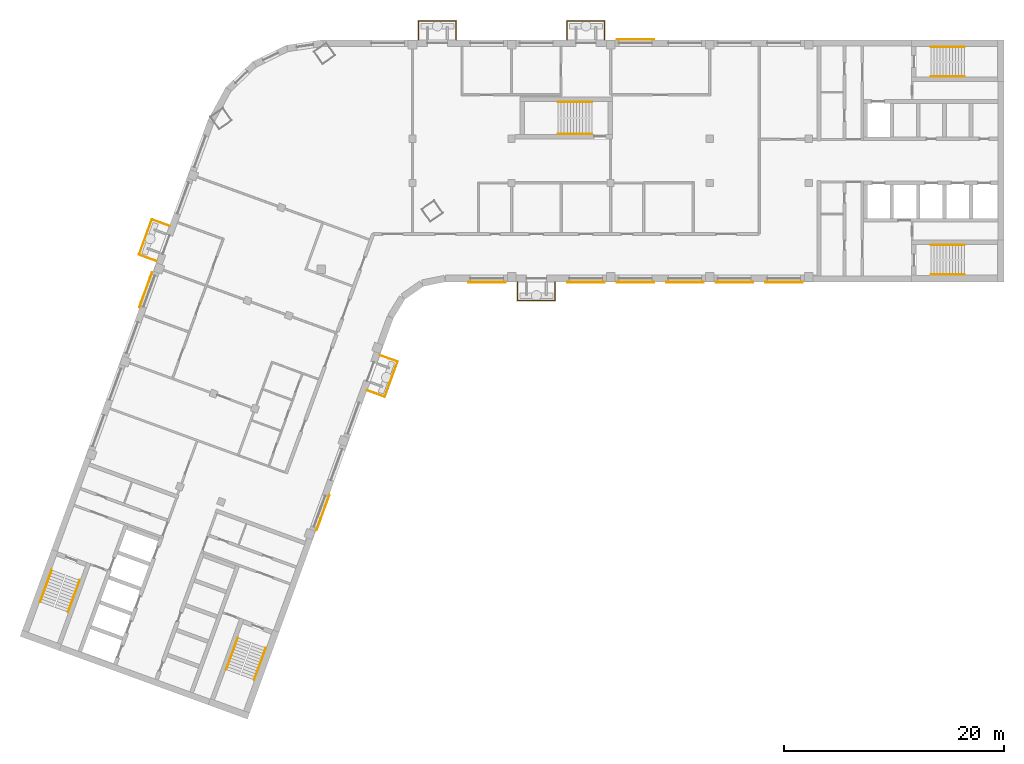
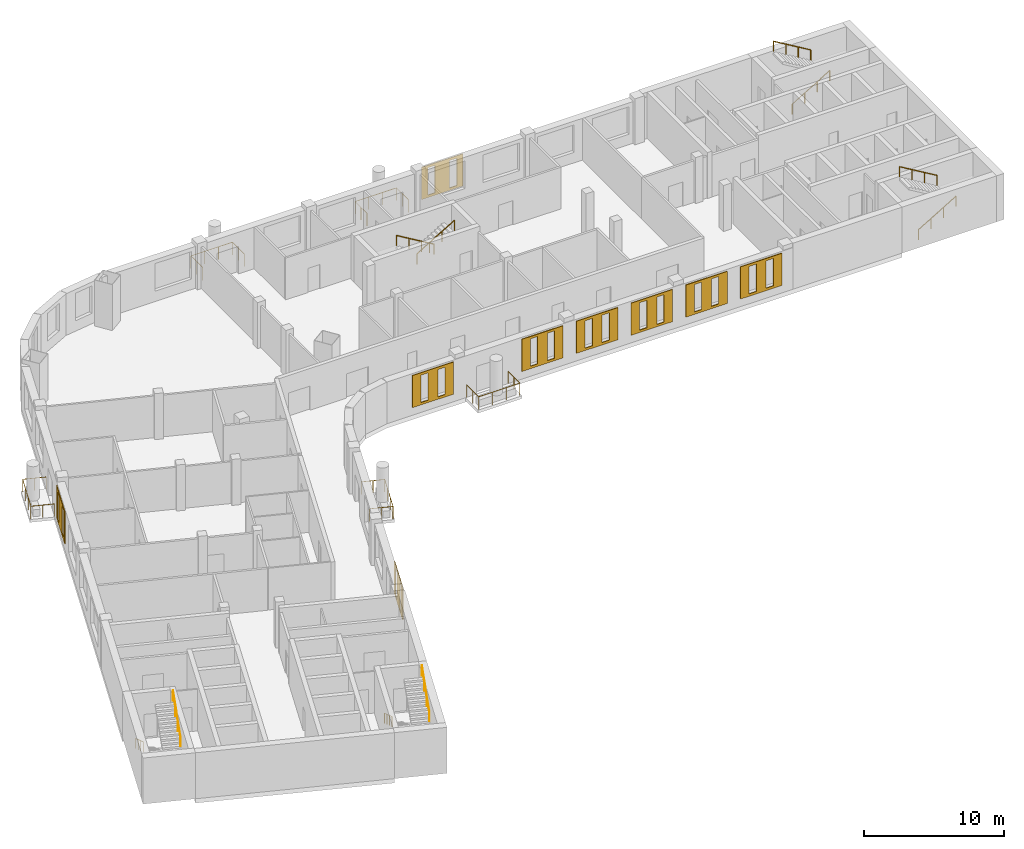
# One storey, part 8 of 10: 15 railings, 9 coverings.
"""IFC4 building model written with IfcOpenShell, lengths in metres."""

from ifc_helpers import new_model, si_unit, direction, frame, origin, origin_2d, place, context, subcontext, project, spatial, polyline, circle, outline, extrude, material, material_profile, profile_set, type_object, element, save


model = new_model("IFC4")

# Units and contexts
model_context = context("Model", 3, precision=1e-05, world=origin(), true_north=direction((0.0, 1.0)))
body_context = subcontext(model_context, "Body", "Model", "MODEL_VIEW")
ifc_project = project(units=[si_unit("LENGTHUNIT", "METRE"), si_unit("AREAUNIT", "SQUARE_METRE"), si_unit("VOLUMEUNIT", "CUBIC_METRE"), si_unit("PLANEANGLEUNIT", "RADIAN"), si_unit("MASSUNIT", "GRAM", prefix="KILO")], contexts=[model_context])

# Site, building, storey
site_placement = place(None, origin())
site = spatial("IfcSite", under=ifc_project, at=site_placement, CompositionType="ELEMENT")
building_placement = place(site_placement, origin())
building = spatial("IfcBuilding", under=site, at=building_placement, Name="Skarvind Civic Tower", CompositionType="ELEMENT")
storey_placement = place(building_placement, frame((0.0, 0.0, 154.5)))
storey = spatial("IfcBuildingStorey", under=building, at=storey_placement, Name="L36", CompositionType="ELEMENT", Elevation=154.5)

# Railings
ifc_material_1 = material(Name="Stainless steel balustrade", Category="steel")
railing_type_1 = type_object("IfcRailingType", Name="GR1 GUARD 1100", PredefinedType="GUARDRAIL", material=ifc_material_1)
railing_1_placement = place(storey_placement, frame((51.274658203125, 110.330322265625, 0.0)))
element("IfcRailing", 1, at=railing_1_placement, inside=storey, type_object=railing_type_1, Name="TREE BALCONY GUARD", PredefinedType="GUARDRAIL", context=body_context, shape_type="SweptSolid", body=[
    extrude(circle(Radius=0.02392578125, at=origin_2d()), frame((0.0, 0.0, 1.076171875), z_axis=(0.939684369409, -0.342042812948, 0.0), x_axis=(0.342042812948, 0.939684369409, 0.0)), (0.0, 0.0, 1.0), 1.7001953125),
    extrude(circle(Radius=0.02392578125, at=origin_2d()), frame((1.59765625, -0.58154296875, 1.076171875), z_axis=(-0.342088971896, -0.93966756638, 0.0), x_axis=(0.93966756638, -0.342088971896, 0.0)), (0.0, 0.0, 1.0), 3.39990234375),
    extrude(circle(Radius=0.02392578125, at=origin_2d()), frame((0.4345703125, -3.7763671875, 1.076171875), z_axis=(-0.93966756638, 0.342088971896, 0.0), x_axis=(-0.342088971896, -0.93966756638, 0.0)), (0.0, 0.0, 1.0), 1.699951171875),
    extrude(circle(Radius=0.02099609375, at=origin_2d()), origin(), (0.0, 0.0, 1.0), 1.052001953125),
    extrude(circle(Radius=0.02099609375, at=origin_2d()), frame((0.798828125, -0.290771484375, 0.0)), (0.0, 0.0, 1.0), 1.052001953125),
    extrude(circle(Radius=0.02099609375, at=origin_2d()), frame((1.59765625, -0.58154296875, 0.0)), (0.0, 0.0, 1.0), 1.052001953125),
    extrude(circle(Radius=0.02099609375, at=origin_2d()), frame((1.2099609375, -1.646484375, 0.0)), (0.0, 0.0, 1.0), 1.052001953125),
    extrude(circle(Radius=0.02099609375, at=origin_2d()), frame((0.822265625, -2.71142578125, 0.0)), (0.0, 0.0, 1.0), 1.052001953125),
    extrude(circle(Radius=0.02099609375, at=origin_2d()), frame((0.4345703125, -3.7763671875, 0.0)), (0.0, 0.0, 1.0), 1.052001953125),
    extrude(circle(Radius=0.02099609375, at=origin_2d()), frame((-0.3642578125, -3.485595703125, 0.0)), (0.0, 0.0, 1.0), 1.052001953125),
    extrude(circle(Radius=0.02099609375, at=origin_2d()), frame((-1.162841796875, -3.19482421875, 0.0)), (0.0, 0.0, 1.0), 1.052001953125),
])
railing_2_placement = place(storey_placement, frame((67.199951171875, 117.0, 0.0)))
element("IfcRailing", 2, at=railing_2_placement, inside=storey, type_object=railing_type_1, Name="TREE BALCONY GUARD", PredefinedType="GUARDRAIL", context=body_context, shape_type="SweptSolid", body=[
    extrude(circle(Radius=0.02392578125, at=origin_2d()), frame((0.0, 0.0, 1.076171875), z_axis=(0.0, -1.0, 0.0), x_axis=(1.0, 0.0, 0.0)), (0.0, 0.0, 1.0), 1.699951171875),
    extrude(circle(Radius=0.02392578125, at=origin_2d()), frame((0.0, -1.699951171875, 1.076171875), z_axis=(-1.0, 0.0, 0.0), x_axis=(0.0, -1.0, 0.0)), (0.0, 0.0, 1.0), 3.39990234375),
    extrude(circle(Radius=0.02392578125, at=origin_2d()), frame((-3.39990234375, -1.699951171875, 1.076171875), z_axis=(0.0, 1.0, 0.0), x_axis=(-1.0, 0.0, 0.0)), (0.0, 0.0, 1.0), 1.699951171875),
    extrude(circle(Radius=0.02099609375, at=origin_2d()), origin(), (0.0, 0.0, 1.0), 1.052001953125),
    extrude(circle(Radius=0.02099609375, at=origin_2d()), frame((0.0, -0.85009765625, 0.0)), (0.0, 0.0, 1.0), 1.052001953125),
    extrude(circle(Radius=0.02099609375, at=origin_2d()), frame((0.0, -1.699951171875, 0.0)), (0.0, 0.0, 1.0), 1.052001953125),
    extrude(circle(Radius=0.02099609375, at=origin_2d()), frame((-1.13330078125, -1.699951171875, 0.0)), (0.0, 0.0, 1.0), 1.052001953125),
    extrude(circle(Radius=0.02099609375, at=origin_2d()), frame((-2.2666015625, -1.699951171875, 0.0)), (0.0, 0.0, 1.0), 1.052001953125),
    extrude(circle(Radius=0.02099609375, at=origin_2d()), frame((-3.39990234375, -1.699951171875, 0.0)), (0.0, 0.0, 1.0), 1.052001953125),
    extrude(circle(Radius=0.02099609375, at=origin_2d()), frame((-3.39990234375, -0.85009765625, 0.0)), (0.0, 0.0, 1.0), 1.052001953125),
    extrude(circle(Radius=0.02099609375, at=origin_2d()), frame((-3.39990234375, 0.0, 0.0)), (0.0, 0.0, 1.0), 1.052001953125),
])
for number, where, name in (
    (3, (54.800048828125, 139.0, 0.0), "TREE BALCONY GUARD"),
    (4, (68.300048828125, 139.0, 0.0), "TREE BALCONY GUARD"),
):
    element("IfcRailing", number, at=place(storey_placement, frame(where)), inside=storey, type_object=railing_type_1, Name=name, PredefinedType="GUARDRAIL", context=body_context, shape_type="SweptSolid", body=[
        extrude(circle(Radius=0.02392578125, at=origin_2d()), frame((0.0, 0.0, 1.076171875), z_axis=(0.0, 1.0, 0.0), x_axis=(-1.0, 0.0, 0.0)), (0.0, 0.0, 1.0), 1.699951171875),
        extrude(circle(Radius=0.02392578125, at=origin_2d()), frame((0.0, 1.699951171875, 1.076171875), z_axis=(1.0, 0.0, 0.0), x_axis=(0.0, 1.0, 0.0)), (0.0, 0.0, 1.0), 3.39990234375),
        extrude(circle(Radius=0.02392578125, at=origin_2d()), frame((3.39990234375, 1.699951171875, 1.076171875), z_axis=(0.0, -1.0, 0.0), x_axis=(1.0, 0.0, 0.0)), (0.0, 0.0, 1.0), 1.699951171875),
        extrude(circle(Radius=0.02099609375, at=origin_2d()), origin(), (0.0, 0.0, 1.0), 1.052001953125),
        extrude(circle(Radius=0.02099609375, at=origin_2d()), frame((0.0, 0.85009765625, 0.0)), (0.0, 0.0, 1.0), 1.052001953125),
        extrude(circle(Radius=0.02099609375, at=origin_2d()), frame((0.0, 1.699951171875, 0.0)), (0.0, 0.0, 1.0), 1.052001953125),
        extrude(circle(Radius=0.02099609375, at=origin_2d()), frame((1.13330078125, 1.699951171875, 0.0)), (0.0, 0.0, 1.0), 1.052001953125),
        extrude(circle(Radius=0.02099609375, at=origin_2d()), frame((2.2666015625, 1.699951171875, 0.0)), (0.0, 0.0, 1.0), 1.052001953125),
        extrude(circle(Radius=0.02099609375, at=origin_2d()), frame((3.39990234375, 1.699951171875, 0.0)), (0.0, 0.0, 1.0), 1.052001953125),
        extrude(circle(Radius=0.02099609375, at=origin_2d()), frame((3.39990234375, 0.85009765625, 0.0)), (0.0, 0.0, 1.0), 1.052001953125),
        extrude(circle(Radius=0.02099609375, at=origin_2d()), frame((3.39990234375, 0.0, 0.0)), (0.0, 0.0, 1.0), 1.052001953125),
    ])
railing_3_placement = place(storey_placement, frame((30.977783203125, 118.888427734375, 0.0)))
element("IfcRailing", 5, at=railing_3_placement, inside=storey, type_object=railing_type_1, Name="TREE BALCONY GUARD", PredefinedType="GUARDRAIL", context=body_context, shape_type="SweptSolid", body=[
    extrude(circle(Radius=0.02392578125, at=origin_2d()), frame((0.0, 0.0, 1.076171875), z_axis=(-0.939684369409, 0.342042812948, 0.0), x_axis=(-0.342042812948, -0.939684369409, 0.0)), (0.0, 0.0, 1.0), 1.7001953125),
    extrude(circle(Radius=0.02392578125, at=origin_2d()), frame((-1.59765625, 0.58154296875, 1.076171875), z_axis=(0.342088971896, 0.93966756638, 0.0), x_axis=(-0.93966756638, 0.342088971896, 0.0)), (0.0, 0.0, 1.0), 3.39990234375),
    extrude(circle(Radius=0.02392578125, at=origin_2d()), frame((-0.4345703125, 3.7763671875, 1.076171875), z_axis=(0.939713724856, -0.341962154804, 0.0), x_axis=(0.341962154804, 0.939713724856, 0.0)), (0.0, 0.0, 1.0), 1.699951171875),
    extrude(circle(Radius=0.02099609375, at=origin_2d()), origin(), (0.0, 0.0, 1.0), 1.052001953125),
    extrude(circle(Radius=0.02099609375, at=origin_2d()), frame((-0.798828125, 0.290771484375, 0.0)), (0.0, 0.0, 1.0), 1.052001953125),
    extrude(circle(Radius=0.02099609375, at=origin_2d()), frame((-1.59765625, 0.58154296875, 0.0)), (0.0, 0.0, 1.0), 1.052001953125),
    extrude(circle(Radius=0.02099609375, at=origin_2d()), frame((-1.2099609375, 1.646484375, 0.0)), (0.0, 0.0, 1.0), 1.052001953125),
    extrude(circle(Radius=0.02099609375, at=origin_2d()), frame((-0.822265625, 2.71142578125, 0.0)), (0.0, 0.0, 1.0), 1.052001953125),
    extrude(circle(Radius=0.02099609375, at=origin_2d()), frame((-0.4345703125, 3.7763671875, 0.0)), (0.0, 0.0, 1.0), 1.052001953125),
    extrude(circle(Radius=0.02099609375, at=origin_2d()), frame((0.3642578125, 3.48583984375, 0.0)), (0.0, 0.0, 1.0), 1.052001953125),
    extrude(circle(Radius=0.02099609375, at=origin_2d()), frame((1.162841796875, 3.195068359375, 0.0)), (0.0, 0.0, 1.0), 1.052001953125),
])
ifc_material_2 = material(Name="Painted steel handrail", Category="steel")
railing_type_2 = type_object("IfcRailingType", Name="Stair handrail 900", PredefinedType="HANDRAIL", material=ifc_material_2)
railing_4_placement = place(storey_placement, frame((101.35009765625, 135.64990234375, 0.166748046875)))
element("IfcRailing", 6, at=railing_4_placement, inside=storey, type_object=railing_type_2, Name="Stair handrail", PredefinedType="HANDRAIL", context=body_context, shape_type="SweptSolid", body=[
    extrude(circle(Radius=0.02392578125, at=origin_2d()), frame((0.0, 0.0, 0.8759765625), z_axis=(0.859290745958, 0.0, 0.51148745235), x_axis=(0.0, 1.0, 0.0)), (0.0, 0.0, 1.0), 3.584228515625),
    extrude(circle(Radius=0.02099609375, at=origin_2d()), origin(), (0.0, 0.0, 1.0), 0.851806640625),
    extrude(circle(Radius=0.02099609375, at=origin_2d()), frame((1.026611328125, 0.0, 0.611083984375)), (0.0, 0.0, 1.0), 0.851806640625),
    extrude(circle(Radius=0.02099609375, at=origin_2d()), frame((2.05322265625, 0.0, 1.22216796875)), (0.0, 0.0, 1.0), 0.851806640625),
    extrude(circle(Radius=0.02099609375, at=origin_2d()), frame((3.079833984375, 0.0, 1.833251953125)), (0.0, 0.0, 1.0), 0.851806640625),
])
railing_5_placement = place(storey_placement, frame((104.429931640625, 138.35009765625, 2.166748046875)))
element("IfcRailing", 7, at=railing_5_placement, inside=storey, type_object=railing_type_2, Name="Stair handrail", PredefinedType="HANDRAIL", context=body_context, shape_type="SweptSolid", body=[
    extrude(circle(Radius=0.02392578125, at=origin_2d()), frame((0.0, 0.0, 0.8759765625), z_axis=(-0.859290745958, 0.0, 0.51148745235), x_axis=(0.0, -1.0, 0.0)), (0.0, 0.0, 1.0), 3.584228515625),
    extrude(circle(Radius=0.02099609375, at=origin_2d()), origin(), (0.0, 0.0, 1.0), 0.851806640625),
    extrude(circle(Radius=0.02099609375, at=origin_2d()), frame((-1.026611328125, 0.0, 0.611083984375)), (0.0, 0.0, 1.0), 0.851806640625),
    extrude(circle(Radius=0.02099609375, at=origin_2d()), frame((-2.05322265625, 0.0, 1.22216796875)), (0.0, 0.0, 1.0), 0.851806640625),
    extrude(circle(Radius=0.02099609375, at=origin_2d()), frame((-3.079833984375, 0.0, 1.833251953125)), (0.0, 0.0, 1.0), 0.851806640625),
])
railing_6_placement = place(storey_placement, frame((101.35009765625, 117.64990234375, 0.166748046875)))
element("IfcRailing", 8, at=railing_6_placement, inside=storey, type_object=railing_type_2, Name="Stair handrail", PredefinedType="HANDRAIL", context=body_context, shape_type="SweptSolid", body=[
    extrude(circle(Radius=0.02392578125, at=origin_2d()), frame((0.0, 0.0, 0.8759765625), z_axis=(0.859290745958, 0.0, 0.51148745235), x_axis=(0.0, 1.0, 0.0)), (0.0, 0.0, 1.0), 3.584228515625),
    extrude(circle(Radius=0.02099609375, at=origin_2d()), origin(), (0.0, 0.0, 1.0), 0.851806640625),
    extrude(circle(Radius=0.02099609375, at=origin_2d()), frame((1.026611328125, 0.0, 0.611083984375)), (0.0, 0.0, 1.0), 0.851806640625),
    extrude(circle(Radius=0.02099609375, at=origin_2d()), frame((2.05322265625, 0.0, 1.22216796875)), (0.0, 0.0, 1.0), 0.851806640625),
    extrude(circle(Radius=0.02099609375, at=origin_2d()), frame((3.079833984375, 0.0, 1.833251953125)), (0.0, 0.0, 1.0), 0.851806640625),
])
railing_7_placement = place(storey_placement, frame((104.429931640625, 120.35009765625, 2.166748046875)))
element("IfcRailing", 9, at=railing_7_placement, inside=storey, type_object=railing_type_2, Name="Stair handrail", PredefinedType="HANDRAIL", context=body_context, shape_type="SweptSolid", body=[
    extrude(circle(Radius=0.02392578125, at=origin_2d()), frame((0.0, 0.0, 0.8759765625), z_axis=(-0.859290745958, 0.0, 0.51148745235), x_axis=(0.0, -1.0, 0.0)), (0.0, 0.0, 1.0), 3.584228515625),
    extrude(circle(Radius=0.02099609375, at=origin_2d()), origin(), (0.0, 0.0, 1.0), 0.851806640625),
    extrude(circle(Radius=0.02099609375, at=origin_2d()), frame((-1.026611328125, 0.0, 0.611083984375)), (0.0, 0.0, 1.0), 0.851806640625),
    extrude(circle(Radius=0.02099609375, at=origin_2d()), frame((-2.05322265625, 0.0, 1.22216796875)), (0.0, 0.0, 1.0), 0.851806640625),
    extrude(circle(Radius=0.02099609375, at=origin_2d()), frame((-3.079833984375, 0.0, 1.833251953125)), (0.0, 0.0, 1.0), 0.851806640625),
])
railing_8_placement = place(storey_placement, frame((38.362060546875, 84.64794921875, 0.166748046875)))
element("IfcRailing", 10, at=railing_8_placement, inside=storey, type_object=railing_type_2, Name="Stair handrail", PredefinedType="HANDRAIL", context=body_context, shape_type="SweptSolid", body=[
    extrude(circle(Radius=0.02392578125, at=origin_2d()), frame((0.0, 0.0, 0.8759765625), z_axis=(-0.293908055923, -0.807480881337, 0.511461319103), x_axis=(0.939689235759, -0.342029443467, 0.0)), (0.0, 0.0, 1.0), 3.584228515625),
    extrude(circle(Radius=0.02099609375, at=origin_2d()), origin(), (0.0, 0.0, 1.0), 0.851806640625),
    extrude(circle(Radius=0.02099609375, at=origin_2d()), frame((-0.35107421875, -0.96484375, 0.611083984375)), (0.0, 0.0, 1.0), 0.851806640625),
    extrude(circle(Radius=0.02099609375, at=origin_2d()), frame((-0.702392578125, -1.929443359375, 1.22216796875)), (0.0, 0.0, 1.0), 0.851806640625),
    extrude(circle(Radius=0.02099609375, at=origin_2d()), frame((-1.053466796875, -2.894287109375, 1.833251953125)), (0.0, 0.0, 1.0), 0.851806640625),
])
railing_9_placement = place(storey_placement, frame((39.845703125, 80.830078125, 2.166748046875)))
element("IfcRailing", 11, at=railing_9_placement, inside=storey, type_object=railing_type_2, Name="Stair handrail", PredefinedType="HANDRAIL", context=body_context, shape_type="SweptSolid", body=[
    extrude(circle(Radius=0.02392578125, at=origin_2d()), frame((0.0, 0.0, 0.8759765625), z_axis=(0.293908055923, 0.807480881337, 0.511461319103), x_axis=(-0.939689235759, 0.342029443467, 0.0)), (0.0, 0.0, 1.0), 3.584228515625),
    extrude(circle(Radius=0.02099609375, at=origin_2d()), origin(), (0.0, 0.0, 1.0), 0.851806640625),
    extrude(circle(Radius=0.02099609375, at=origin_2d()), frame((0.35107421875, 0.96484375, 0.611083984375)), (0.0, 0.0, 1.0), 0.851806640625),
    extrude(circle(Radius=0.02099609375, at=origin_2d()), frame((0.702392578125, 1.929443359375, 1.22216796875)), (0.0, 0.0, 1.0), 0.851806640625),
    extrude(circle(Radius=0.02099609375, at=origin_2d()), frame((1.053466796875, 2.894287109375, 1.833251953125)), (0.0, 0.0, 1.0), 0.851806640625),
])
railing_10_placement = place(storey_placement, frame((21.447509765625, 90.80419921875, 0.166748046875)))
element("IfcRailing", 12, at=railing_10_placement, inside=storey, type_object=railing_type_2, Name="Stair handrail", PredefinedType="HANDRAIL", context=body_context, shape_type="SweptSolid", body=[
    extrude(circle(Radius=0.02392578125, at=origin_2d()), frame((0.0, 0.0, 0.8759765625), z_axis=(-0.293845824691, -0.807497044902, 0.511471557163), x_axis=(0.939714709796, -0.34195944817, 0.0)), (0.0, 0.0, 1.0), 3.584228515625),
    extrude(circle(Radius=0.02099609375, at=origin_2d()), origin(), (0.0, 0.0, 1.0), 0.851806640625),
    extrude(circle(Radius=0.02099609375, at=origin_2d()), frame((-0.35107421875, -0.96484375, 0.611083984375)), (0.0, 0.0, 1.0), 0.851806640625),
    extrude(circle(Radius=0.02099609375, at=origin_2d()), frame((-0.7021484375, -1.929443359375, 1.22216796875)), (0.0, 0.0, 1.0), 0.851806640625),
    extrude(circle(Radius=0.02099609375, at=origin_2d()), frame((-1.05322265625, -2.894287109375, 1.833251953125)), (0.0, 0.0, 1.0), 0.851806640625),
])
railing_11_placement = place(storey_placement, frame((22.931396484375, 86.986572265625, 2.166748046875)))
element("IfcRailing", 13, at=railing_11_placement, inside=storey, type_object=railing_type_2, Name="Stair handrail", PredefinedType="HANDRAIL", context=body_context, shape_type="SweptSolid", body=[
    extrude(circle(Radius=0.02392578125, at=origin_2d()), frame((0.0, 0.0, 0.8759765625), z_axis=(0.293908055923, 0.807480881337, 0.511461319103), x_axis=(-0.939689235759, 0.342029443467, 0.0)), (0.0, 0.0, 1.0), 3.584228515625),
    extrude(circle(Radius=0.02099609375, at=origin_2d()), origin(), (0.0, 0.0, 1.0), 0.851806640625),
    extrude(circle(Radius=0.02099609375, at=origin_2d()), frame((0.35107421875, 0.96484375, 0.611083984375)), (0.0, 0.0, 1.0), 0.851806640625),
    extrude(circle(Radius=0.02099609375, at=origin_2d()), frame((0.702392578125, 1.929443359375, 1.22216796875)), (0.0, 0.0, 1.0), 0.851806640625),
    extrude(circle(Radius=0.02099609375, at=origin_2d()), frame((1.053466796875, 2.894287109375, 1.833251953125)), (0.0, 0.0, 1.0), 0.851806640625),
])
railing_12_placement = place(storey_placement, frame((70.550048828125, 133.35009765625, 0.166748046875)))
element("IfcRailing", 14, at=railing_12_placement, inside=storey, type_object=railing_type_2, Name="Stair handrail", PredefinedType="HANDRAIL", context=body_context, shape_type="SweptSolid", body=[
    extrude(circle(Radius=0.02392578125, at=origin_2d()), frame((0.0, 0.0, 0.8759765625), z_axis=(-0.859308565015, 0.0, 0.511457515432), x_axis=(0.0, -1.0, 0.0)), (0.0, 0.0, 1.0), 3.58447265625),
    extrude(circle(Radius=0.02099609375, at=origin_2d()), origin(), (0.0, 0.0, 1.0), 0.851806640625),
    extrude(circle(Radius=0.02099609375, at=origin_2d()), frame((-1.026611328125, 0.0, 0.611083984375)), (0.0, 0.0, 1.0), 0.851806640625),
    extrude(circle(Radius=0.02099609375, at=origin_2d()), frame((-2.053466796875, 0.0, 1.22216796875)), (0.0, 0.0, 1.0), 0.851806640625),
    extrude(circle(Radius=0.02099609375, at=origin_2d()), frame((-3.080078125, 0.0, 1.833251953125)), (0.0, 0.0, 1.0), 0.851806640625),
])
railing_13_placement = place(storey_placement, frame((67.469970703125, 130.449951171875, 2.166748046875)))
element("IfcRailing", 15, at=railing_13_placement, inside=storey, type_object=railing_type_2, Name="Stair handrail", PredefinedType="HANDRAIL", context=body_context, shape_type="SweptSolid", body=[
    extrude(circle(Radius=0.02392578125, at=origin_2d()), frame((0.0, 0.0, 0.8759765625), z_axis=(0.859308565015, 0.0, 0.511457515432), x_axis=(0.0, 1.0, 0.0)), (0.0, 0.0, 1.0), 3.58447265625),
    extrude(circle(Radius=0.02099609375, at=origin_2d()), origin(), (0.0, 0.0, 1.0), 0.851806640625),
    extrude(circle(Radius=0.02099609375, at=origin_2d()), frame((1.026611328125, 0.0, 0.611083984375)), (0.0, 0.0, 1.0), 0.851806640625),
    extrude(circle(Radius=0.02099609375, at=origin_2d()), frame((2.053466796875, 0.0, 1.22216796875)), (0.0, 0.0, 1.0), 0.851806640625),
    extrude(circle(Radius=0.02099609375, at=origin_2d()), frame((3.080078125, 0.0, 1.833251953125)), (0.0, 0.0, 1.0), 0.851806640625),
])

# Coverings
ifc_material_3 = material(Name="Terracotta", Category="masonry")
ifc_material_profile_1 = material_profile(ifc_material_3, outline(polyline([(-1.699951171875, -1.39990234375), (1.699951171875, -1.39990234375), (1.699951171875, 1.39990234375), (-1.699951171875, 1.39990234375), (-1.699951171875, -1.39990234375)]), holes=[polyline([(-1.0, -1.18994140625), (-0.39990234375, -1.18994140625), (-0.39990234375, 1.18994140625), (-1.0, 1.18994140625), (-1.0, -1.18994140625)]), polyline([(0.39990234375, -1.18994140625), (1.0, -1.18994140625), (1.0, 1.18994140625), (0.39990234375, 1.18994140625), (0.39990234375, -1.18994140625)])]), Name="TERRACOTTA SCREEN 3400 x 2800, SLIT PITCH 1400")
ifc_profile_set_1 = profile_set([ifc_material_profile_1], Name="Terracotta")
covering_type_1 = type_object("IfcCoveringType", Name="TERRACOTTA SCREEN 3400 x 2800, SLIT PITCH 1400", PredefinedType="CLADDING", material=ifc_profile_set_1)
for number, where, z_axis, x_axis, name in (
    (16, (88.0, 117.0, 2.10009765625), (0.0, -1.0, 0.0), (1.0, 0.0, 0.0), "TERRACOTTA SCREEN"),
    (17, (83.5, 117.0, 2.10009765625), (0.0, -1.0, 0.0), (1.0, 0.0, 0.0), "TERRACOTTA SCREEN"),
    (18, (79.0, 117.0, 2.10009765625), (0.0, -1.0, 0.0), (1.0, 0.0, 0.0), "TERRACOTTA SCREEN"),
    (19, (74.5, 117.0, 2.10009765625), (0.0, -1.0, 0.0), (1.0, 0.0, 0.0), "TERRACOTTA SCREEN"),
    (20, (70.0, 117.0, 2.10009765625), (0.0, -1.0, 0.0), (1.0, 0.0, 0.0), "TERRACOTTA SCREEN"),
    (21, (61.0, 117.0, 2.10009765625), (0.0, -1.0, 0.0), (1.0, 0.0, 0.0), "TERRACOTTA SCREEN"),
):
    element("IfcCovering", number, at=place(storey_placement, frame(where, z_axis=z_axis, x_axis=x_axis)), inside=storey, type_object=covering_type_1, Name=name, PredefinedType="CLADDING", context=body_context, shape_type="SweptSolid", body=[
        extrude(outline(polyline([(-1.699951171875, -1.39990234375), (1.699951171875, -1.39990234375), (1.699951171875, 1.39990234375), (-1.699951171875, 1.39990234375), (-1.699951171875, -1.39990234375)]), holes=[polyline([(-1.0, -1.18994140625), (-0.39990234375, -1.18994140625), (-0.39990234375, 1.18994140625), (-1.0, 1.18994140625), (-1.0, -1.18994140625)]), polyline([(0.39990234375, -1.18994140625), (1.0, -1.18994140625), (1.0, 1.18994140625), (0.39990234375, 1.18994140625), (0.39990234375, -1.18994140625)])]), origin(), (0.0, 0.0, 1.0), 0.06005859375),
    ])
ifc_material_profile_2 = material_profile(ifc_material_3, outline(polyline([(-1.699951171875, -1.39990234375), (1.699951171875, -1.39990234375), (1.699951171875, 1.39990234375), (-1.699951171875, 1.39990234375), (-1.699951171875, -1.39990234375)]), holes=[polyline([(-1.199951171875, -1.18994140625), (-0.60009765625, -1.18994140625), (-0.60009765625, 1.18994140625), (-1.199951171875, 1.18994140625), (-1.199951171875, -1.18994140625)]), polyline([(0.60009765625, -1.18994140625), (1.199951171875, -1.18994140625), (1.199951171875, 1.18994140625), (0.60009765625, 1.18994140625), (0.60009765625, -1.18994140625)])]), Name="TERRACOTTA SCREEN 3400 x 2800, SLIT PITCH 1800")
ifc_profile_set_2 = profile_set([ifc_material_profile_2], Name="Terracotta")
covering_type_2 = type_object("IfcCoveringType", Name="TERRACOTTA SCREEN 3400 x 2800, SLIT PITCH 1800", PredefinedType="CLADDING", material=ifc_profile_set_2)
for number, where, z_axis, x_axis, name in (
    (22, (46.075927734375, 96.047119140625, 2.10009765625), (0.939793423488, -0.341743063087, 0.0), (0.341743063087, 0.939793423488, 0.0), "TERRACOTTA SCREEN"),
    (23, (74.5, 139.0, 2.10009765625), (0.0, 1.0, 0.0), (-1.0, 0.0, 0.0), "TERRACOTTA SCREEN"),
    (24, (30.02001953125, 116.25732421875, 2.10009765625), (-0.939793423488, 0.341743063087, 0.0), (-0.341743063087, -0.939793423488, 0.0), "TERRACOTTA SCREEN"),
):
    element("IfcCovering", number, at=place(storey_placement, frame(where, z_axis=z_axis, x_axis=x_axis)), inside=storey, type_object=covering_type_2, Name=name, PredefinedType="CLADDING", context=body_context, shape_type="SweptSolid", body=[
        extrude(outline(polyline([(-1.699951171875, -1.39990234375), (1.699951171875, -1.39990234375), (1.699951171875, 1.39990234375), (-1.699951171875, 1.39990234375), (-1.699951171875, -1.39990234375)]), holes=[polyline([(-1.199951171875, -1.18994140625), (-0.60009765625, -1.18994140625), (-0.60009765625, 1.18994140625), (-1.199951171875, 1.18994140625), (-1.199951171875, -1.18994140625)]), polyline([(0.60009765625, -1.18994140625), (1.199951171875, -1.18994140625), (1.199951171875, 1.18994140625), (0.60009765625, 1.18994140625), (0.60009765625, -1.18994140625)])]), origin(), (0.0, 0.0, 1.0), 0.06005859375),
    ])

save(model, "model.ifc")
